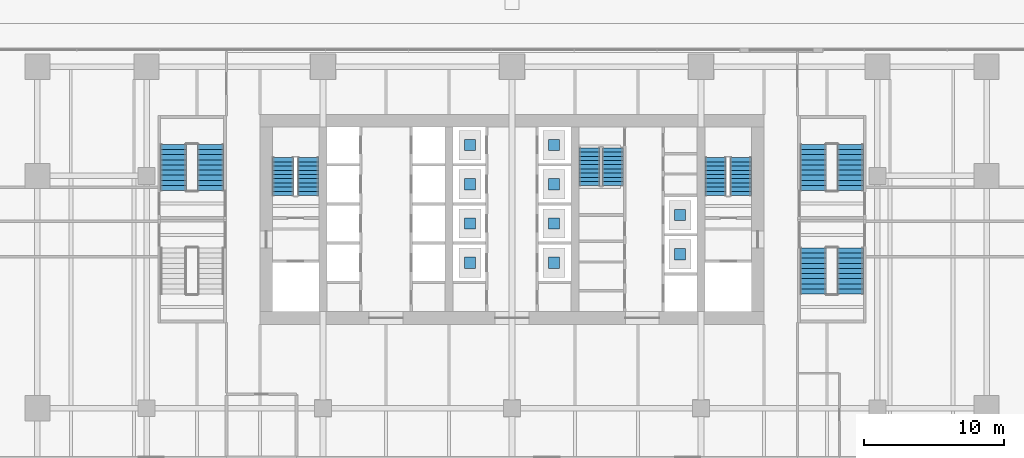
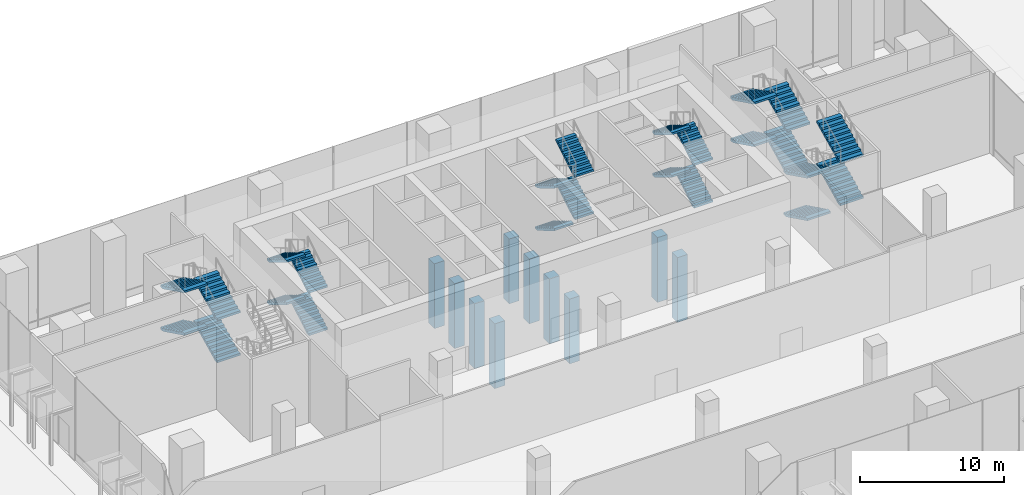
# One storey, part 33 of 41: 24 stair flights, 10 discrete accessories, 6 elements without a shape of their own.
"""IFC4 building model written with IfcOpenShell, lengths in metres."""

import ifcopenshell
import ifcopenshell.guid

model = None  # the IFC model being written
_history = None  # IfcOwnerHistory: only IFC2X3 demands one
_inside = {}  # id of a spatial element -> (the spatial element, [elements in it])
_under = {}  # id of a project, library or spatial element -> (it, [spatial elements below it])
_declared = {}  # id of a project -> (the project, [libraries it declares])
_typed = {}  # id of a type object -> (the type object, [elements of that type])
_made_of = {}  # id of a material, layer set ... -> (it, [elements and type objects made of it])


def new_model(schema):
    """Start an empty IFC model of exactly this schema.

    Asked for "IFC4X3", IfcOpenShell would pick the latest addendum, in which some entities
    have other attributes; the version numbers below select the first issue.
    IFC2X3 requires an IfcOwnerHistory on every rooted entity: one is made here for all.
    """
    global model, _history
    if schema == "IFC4X3":
        model = ifcopenshell.file(schema_version=(4, 3, 0, 0))
    else:
        model = ifcopenshell.file(schema=schema)
    _inside.clear()
    _under.clear()
    _declared.clear()
    _typed.clear()
    _made_of.clear()
    _history = None
    if model.schema == "IFC2X3":
        org = make("IfcOrganization", Name="unknown")
        user = make(
            "IfcPersonAndOrganization",
            ThePerson=make("IfcPerson", FamilyName="unknown"),
            TheOrganization=org,
        )
        app = make(
            "IfcApplication",
            ApplicationDeveloper=org,
            Version="unknown",
            ApplicationFullName="unknown",
            ApplicationIdentifier="unknown",
        )
        _history = make(
            "IfcOwnerHistory",
            OwningUser=user,
            OwningApplication=app,
            ChangeAction="ADDED",
            CreationDate=0,
        )
    return model


def make(cls, **values):
    """One entity of the class cls with the attributes given. An attribute that is None is left unset."""
    return model.create_entity(
        cls, **{name: value for name, value in values.items() if value is not None}
    )


def rooted(cls, **values):
    """An entity with a GlobalId (a new one), such as an element, a storey or a relation."""
    return make(cls, GlobalId=ifcopenshell.guid.new(), OwnerHistory=_history, **values)


def si_unit(unit_type, name, prefix=None):
    """IfcSIUnit, for example si_unit("LENGTHUNIT", "METRE", prefix="MILLI")."""
    return make("IfcSIUnit", UnitType=unit_type, Prefix=prefix, Name=name)


def assignment(units):
    """IfcUnitAssignment: the units of a project."""
    return None if units is None else make("IfcUnitAssignment", Units=units)


def point(xyz):
    """IfcCartesianPoint."""
    return None if xyz is None else make("IfcCartesianPoint", Coordinates=xyz)


def direction(xyz):
    """IfcDirection."""
    return None if xyz is None else make("IfcDirection", DirectionRatios=xyz)


def frame(location, z_axis=None, x_axis=None):
    """IfcAxis2Placement3D, a coordinate frame: its origin and axes. An axis left out is left unset."""
    return make(
        "IfcAxis2Placement3D",
        Location=point(location),
        Axis=direction(z_axis),
        RefDirection=direction(x_axis),
    )


def frame_2d(location, x_axis=None):
    """IfcAxis2Placement2D, a coordinate frame in the plane: its origin and x axis."""
    return make(
        "IfcAxis2Placement2D", Location=point(location), RefDirection=direction(x_axis)
    )


def origin():
    """The frame at (0, 0, 0) with its axes left unset."""
    return frame((0.0, 0.0, 0.0))


def origin_2d():
    """The frame at (0, 0) in the plane with its x axis left unset."""
    return frame_2d((0.0, 0.0))


def place(relative_to, where):
    """IfcLocalPlacement: puts the frame where relative to a parent placement (None: the world)."""
    return make(
        "IfcLocalPlacement", PlacementRelTo=relative_to, RelativePlacement=where
    )


def context(
    kind, dimensions, precision=None, world=None, true_north=None, identifier=None
):
    """IfcGeometricRepresentationContext, for example the 3D "Model" context."""
    return make(
        "IfcGeometricRepresentationContext",
        ContextIdentifier=identifier,
        ContextType=kind,
        CoordinateSpaceDimension=dimensions,
        Precision=precision,
        WorldCoordinateSystem=world,
        TrueNorth=true_north,
    )


def subcontext(parent, identifier, kind, view, scale=None):
    """IfcGeometricRepresentationSubContext, for example "Body" below "Model"."""
    return make(
        "IfcGeometricRepresentationSubContext",
        ContextIdentifier=identifier,
        ContextType=kind,
        ParentContext=parent,
        TargetScale=scale,
        TargetView=view,
    )


def project(units=None, contexts=None):
    """IfcProject with its units and contexts."""
    return rooted(
        "IfcProject",
        Name="project",
        RepresentationContexts=contexts,
        UnitsInContext=assignment(units),
    )


def spatial(cls, under=None, at=None, **own):
    """A site, building, storey or space (cls), placed at a placement, below another one or the project."""
    s = rooted(cls, ObjectPlacement=at, **own)
    if under is not None:
        _under.setdefault(under.id(), (under, []))[1].append(s)
    return s


def polyline(points):
    """IfcPolyline through the points."""
    return make("IfcPolyline", Points=[point(p) for p in points])


def profile(cls, at=None, kind="AREA", **sizes):
    """A parametric profile (cls). Its sizes go by their IFC names, for example OverallWidth=200.0."""
    return make(cls, ProfileType=kind, Position=at, **sizes)


def rectangle(**sizes):
    """IfcRectangleProfileDef."""
    return profile("IfcRectangleProfileDef", **sizes)


def outline(outer, holes=None, kind="AREA"):
    """IfcArbitraryClosedProfileDef: a profile drawn as a closed curve; with holes, ...WithVoids."""
    if holes is None:
        return make("IfcArbitraryClosedProfileDef", ProfileType=kind, OuterCurve=outer)
    return make(
        "IfcArbitraryProfileDefWithVoids",
        ProfileType=kind,
        OuterCurve=outer,
        InnerCurves=holes,
    )


def extrude(swept, where, along, depth):
    """IfcExtrudedAreaSolid: the profile swept, set in the frame where, extruded along a direction by depth."""
    return make(
        "IfcExtrudedAreaSolid",
        SweptArea=swept,
        Position=where,
        ExtrudedDirection=direction(along),
        Depth=depth,
    )


def shape(context_of_items, identifier, shape_type, items):
    """IfcShapeRepresentation: the items that make up one representation, for example the "Body"."""
    return make(
        "IfcShapeRepresentation",
        ContextOfItems=context_of_items,
        RepresentationIdentifier=identifier,
        RepresentationType=shape_type,
        Items=items,
    )


def material(Name=None, Category=None):
    """IfcMaterial."""
    return make("IfcMaterial", Name=Name, Category=Category)


def made_of(thing, what):
    """Note that an element or type object is made of a material, layer set ...; save() writes the relation."""
    if what is not None:
        _made_of.setdefault(what.id(), (what, []))[1].append(thing)
    return thing


def type_object(cls, material=None, **own):
    """A type object (cls), such as IfcWallType, which elements share."""
    return made_of(rooted(cls, **own), material)


def element(
    cls,
    number,
    at=None,
    inside=None,
    cuts=None,
    type_object=None,
    material=None,
    context=None,
    identifier="Body",
    shape_type=None,
    held_by="IfcProductDefinitionShape",
    body=None,
    shapes=None,
    **own,
):
    """One element of the class cls, such as IfcWall. Its Tag is "e" and its number.

    at: its placement. inside: the storey or other place that contains it. cuts: it is an
    opening in that element (IfcRelVoidsElement). A single representation is given by context,
    identifier, shape_type and body (its items); several are given by shapes. held_by: the class
    of the entity that holds the representations. save() writes the other relations.
    """
    e = rooted(cls, Tag="e%d" % number, ObjectPlacement=at, **own)
    if body is not None:
        shapes = [shape(context, identifier, shape_type, body)]
    if shapes is not None:
        e.Representation = make(held_by, Representations=shapes)
    if inside is not None:
        _inside.setdefault(inside.id(), (inside, []))[1].append(e)
    if cuts is not None:
        rooted(
            "IfcRelVoidsElement", RelatingBuildingElement=cuts, RelatedOpeningElement=e
        )
    if type_object is not None:
        _typed.setdefault(type_object.id(), (type_object, []))[1].append(e)
    return made_of(e, material)


def aggregate(whole, parts):
    """IfcRelAggregates: a whole, such as a stair, and the parts it consists of."""
    return rooted("IfcRelAggregates", RelatingObject=whole, RelatedObjects=parts)


def save(model, path):
    """Write the relations noted so far, then the file.

    IfcRelAggregates (storeys below a building ...), IfcRelContainedInSpatialStructure (elements
    in a storey), IfcRelDefinesByType, IfcRelAssociatesMaterial and IfcRelDeclares: one each for
    every whole, place, type object, material and project.
    """
    for whole, parts in _under.values():
        aggregate(whole, parts)
    for where, things in _inside.values():
        rooted(
            "IfcRelContainedInSpatialStructure",
            RelatedElements=things,
            RelatingStructure=where,
        )
    for kind, things in _typed.values():
        rooted("IfcRelDefinesByType", RelatedObjects=things, RelatingType=kind)
    for what, things in _made_of.values():
        rooted("IfcRelAssociatesMaterial", RelatedObjects=things, RelatingMaterial=what)
    for by, libraries in _declared.values():
        rooted("IfcRelDeclares", RelatingContext=by, RelatedDefinitions=libraries)
    model.write(path)


model = new_model("IFC4")

# Units and contexts
model_context = context("Model", 3, precision=1e-05, world=origin(), true_north=direction((0.0, 1.0)))
body_context = subcontext(model_context, "Body", "Model", "MODEL_VIEW")
ifc_project = project(units=[si_unit("LENGTHUNIT", "METRE"), si_unit("AREAUNIT", "SQUARE_METRE"), si_unit("VOLUMEUNIT", "CUBIC_METRE"), si_unit("PLANEANGLEUNIT", "RADIAN"), si_unit("MASSUNIT", "GRAM", prefix="KILO")], contexts=[model_context])

# Site, building, storey
site_placement = place(None, origin())
site = spatial("IfcSite", under=ifc_project, at=site_placement, CompositionType="ELEMENT")
building_placement = place(site_placement, origin())
building = spatial("IfcBuilding", under=site, at=building_placement, Name="Rattan Terrace Tower", CompositionType="ELEMENT")
storey_placement = place(building_placement, origin())
storey = spatial("IfcBuildingStorey", under=building, at=storey_placement, Name="L00", CompositionType="ELEMENT", Elevation=0.0)

# Stair, stair flights
ifc_material_1 = material(Name="Concrete C40/50", Category="concrete")
stair_type_1 = type_object("IfcStairType", Name="Core exit stair 1500", PredefinedType="HALF_TURN_STAIR", material=ifc_material_1)
stair_1_placement = place(storey_placement, origin())
stair_1 = element("IfcStair", 1, at=stair_1_placement, inside=storey, type_object=stair_type_1, Name="L00 exit stair 1", PredefinedType="HALF_TURN_STAIR")
ifc_material_2 = material(Name="Concrete C40/50", Category="concrete")
stair_flight_type_1 = type_object("IfcStairFlightType", Name="Core exit stair flight 1500", PredefinedType="STRAIGHT", material=ifc_material_2)
stair_flight_1_placement = place(storey_placement, frame((-14.550048828125, 1.699951171875, 0.0), z_axis=(0.0, 0.0, 1.0), x_axis=(0.0, 1.0, 0.0)))
stair_flight_1 = element("IfcStairFlight", 2, at=stair_flight_1_placement, type_object=stair_flight_type_1, Name="S1 flight 1", NumberOfRisers=10, NumberOfTreads=9, PredefinedType="STRAIGHT", RiserHeight=0.18, TreadLength=0.3, context=body_context, shape_type="SweptSolid", body=[
    extrude(outline(polyline([(0.0, 0.0), (0.0, 0.179931640625), (0.300048828125, 0.179931640625), (0.300048828125, 0.360107421875), (0.60009765625, 0.360107421875), (0.60009765625, 0.5400390625), (0.89990234375, 0.5400390625), (0.89990234375, 0.719970703125), (1.199951171875, 0.719970703125), (1.199951171875, 0.89990234375), (1.5, 0.89990234375), (1.5, 1.080078125), (1.800048828125, 1.080078125), (1.800048828125, 1.260009765625), (2.10009765625, 1.260009765625), (2.10009765625, 1.43994140625), (2.39990234375, 1.43994140625), (2.39990234375, 1.6201171875), (2.699951171875, 1.6201171875), (2.699951171875, 1.800048828125), (2.699951171875, 1.445068359375), (0.291259765625, 0.0), (0.0, 0.0)])), frame((0.0, 0.75, 0.0), z_axis=(0.0, -1.0, 0.0), x_axis=(1.0, 0.0, 0.0)), (0.0, 0.0, 1.0), 1.5),
])
stair_flight_2_placement = place(storey_placement, frame((-16.35009765625, 4.39990234375, 1.800048828125), z_axis=(0.0, 0.0, 1.0), x_axis=(0.0, -1.0, 0.0)))
stair_flight_2 = element("IfcStairFlight", 3, at=stair_flight_2_placement, type_object=stair_flight_type_1, Name="S1 flight 2", NumberOfRisers=10, NumberOfTreads=9, PredefinedType="STRAIGHT", RiserHeight=0.18, TreadLength=0.3, context=body_context, shape_type="SweptSolid", body=[
    extrude(outline(polyline([(0.0, 0.0), (0.0, 0.179931640625), (0.300048828125, 0.179931640625), (0.300048828125, 0.360107421875), (0.60009765625, 0.360107421875), (0.60009765625, 0.5400390625), (0.89990234375, 0.5400390625), (0.89990234375, 0.719970703125), (1.199951171875, 0.719970703125), (1.199951171875, 0.89990234375), (1.5, 0.89990234375), (1.5, 1.080078125), (1.800048828125, 1.080078125), (1.800048828125, 1.260009765625), (2.10009765625, 1.260009765625), (2.10009765625, 1.43994140625), (2.39990234375, 1.43994140625), (2.39990234375, 1.6201171875), (2.699951171875, 1.6201171875), (2.699951171875, 1.800048828125), (2.699951171875, 1.445068359375), (0.291259765625, 0.0), (0.0, 0.0)])), frame((0.0, 0.75, 0.0), z_axis=(0.0, -1.0, 0.0), x_axis=(1.0, 0.0, 0.0)), (0.0, 0.0, 1.0), 1.5),
])
stair_flight_3_placement = place(storey_placement, frame((-14.550048828125, 1.699951171875, 3.60009765625), z_axis=(0.0, 0.0, 1.0), x_axis=(0.0, 1.0, 0.0)))
stair_flight_3 = element("IfcStairFlight", 4, at=stair_flight_3_placement, type_object=stair_flight_type_1, Name="S1 flight 3", NumberOfRisers=10, NumberOfTreads=9, PredefinedType="STRAIGHT", RiserHeight=0.18, TreadLength=0.3, context=body_context, shape_type="SweptSolid", body=[
    extrude(outline(polyline([(0.0, 0.0), (0.0, 0.179931640625), (0.300048828125, 0.179931640625), (0.300048828125, 0.360107421875), (0.60009765625, 0.360107421875), (0.60009765625, 0.5400390625), (0.89990234375, 0.5400390625), (0.89990234375, 0.719970703125), (1.199951171875, 0.719970703125), (1.199951171875, 0.89990234375), (1.5, 0.89990234375), (1.5, 1.080078125), (1.800048828125, 1.080078125), (1.800048828125, 1.260009765625), (2.10009765625, 1.260009765625), (2.10009765625, 1.43994140625), (2.39990234375, 1.43994140625), (2.39990234375, 1.6201171875), (2.699951171875, 1.6201171875), (2.699951171875, 1.800048828125), (2.699951171875, 1.445068359375), (0.291259765625, 0.0), (0.0, 0.0)])), frame((0.0, 0.75, 0.0), z_axis=(0.0, -1.0, 0.0), x_axis=(1.0, 0.0, 0.0)), (0.0, 0.0, 1.0), 1.5),
])
stair_flight_4_placement = place(storey_placement, frame((-16.35009765625, 4.39990234375, 5.39990234375), z_axis=(0.0, 0.0, 1.0), x_axis=(0.0, -1.0, 0.0)))
stair_flight_4 = element("IfcStairFlight", 5, at=stair_flight_4_placement, type_object=stair_flight_type_1, Name="S1 flight 4", NumberOfRisers=10, NumberOfTreads=9, PredefinedType="STRAIGHT", RiserHeight=0.18, TreadLength=0.3, context=body_context, shape_type="SweptSolid", body=[
    extrude(outline(polyline([(0.0, 0.0), (0.0, 0.179931640625), (0.300048828125, 0.179931640625), (0.300048828125, 0.360107421875), (0.60009765625, 0.360107421875), (0.60009765625, 0.5400390625), (0.89990234375, 0.5400390625), (0.89990234375, 0.719970703125), (1.199951171875, 0.719970703125), (1.199951171875, 0.89990234375), (1.5, 0.89990234375), (1.5, 1.080078125), (1.800048828125, 1.080078125), (1.800048828125, 1.260009765625), (2.10009765625, 1.260009765625), (2.10009765625, 1.43994140625), (2.39990234375, 1.43994140625), (2.39990234375, 1.6201171875), (2.699951171875, 1.6201171875), (2.699951171875, 1.800048828125), (2.699951171875, 1.445068359375), (0.291259765625, 0.0), (0.0, 0.0)])), frame((0.0, 0.75, 0.0), z_axis=(0.0, -1.0, 0.0), x_axis=(1.0, 0.0, 0.0)), (0.0, 0.0, 1.0), 1.5),
])
aggregate(stair_1, [stair_flight_1, stair_flight_2, stair_flight_3, stair_flight_4])

stair_2_placement = place(storey_placement, origin())
stair_2 = element("IfcStair", 6, at=stair_2_placement, inside=storey, type_object=stair_type_1, Name="L00 exit stair 2", PredefinedType="HALF_TURN_STAIR")
stair_flight_5_placement = place(storey_placement, frame((16.35009765625, 1.699951171875, 0.0), z_axis=(0.0, 0.0, 1.0), x_axis=(0.0, 1.0, 0.0)))
stair_flight_5 = element("IfcStairFlight", 7, at=stair_flight_5_placement, type_object=stair_flight_type_1, Name="S2 flight 1", NumberOfRisers=10, NumberOfTreads=9, PredefinedType="STRAIGHT", RiserHeight=0.18, TreadLength=0.3, context=body_context, shape_type="SweptSolid", body=[
    extrude(outline(polyline([(0.0, 0.0), (0.0, 0.179931640625), (0.300048828125, 0.179931640625), (0.300048828125, 0.360107421875), (0.60009765625, 0.360107421875), (0.60009765625, 0.5400390625), (0.89990234375, 0.5400390625), (0.89990234375, 0.719970703125), (1.199951171875, 0.719970703125), (1.199951171875, 0.89990234375), (1.5, 0.89990234375), (1.5, 1.080078125), (1.800048828125, 1.080078125), (1.800048828125, 1.260009765625), (2.10009765625, 1.260009765625), (2.10009765625, 1.43994140625), (2.39990234375, 1.43994140625), (2.39990234375, 1.6201171875), (2.699951171875, 1.6201171875), (2.699951171875, 1.800048828125), (2.699951171875, 1.445068359375), (0.291259765625, 0.0), (0.0, 0.0)])), frame((0.0, 0.75, 0.0), z_axis=(0.0, -1.0, 0.0), x_axis=(1.0, 0.0, 0.0)), (0.0, 0.0, 1.0), 1.5),
])
stair_flight_6_placement = place(storey_placement, frame((14.550048828125, 4.39990234375, 1.800048828125), z_axis=(0.0, 0.0, 1.0), x_axis=(0.0, -1.0, 0.0)))
stair_flight_6 = element("IfcStairFlight", 8, at=stair_flight_6_placement, type_object=stair_flight_type_1, Name="S2 flight 2", NumberOfRisers=10, NumberOfTreads=9, PredefinedType="STRAIGHT", RiserHeight=0.18, TreadLength=0.3, context=body_context, shape_type="SweptSolid", body=[
    extrude(outline(polyline([(0.0, 0.0), (0.0, 0.179931640625), (0.300048828125, 0.179931640625), (0.300048828125, 0.360107421875), (0.60009765625, 0.360107421875), (0.60009765625, 0.5400390625), (0.89990234375, 0.5400390625), (0.89990234375, 0.719970703125), (1.199951171875, 0.719970703125), (1.199951171875, 0.89990234375), (1.5, 0.89990234375), (1.5, 1.080078125), (1.800048828125, 1.080078125), (1.800048828125, 1.260009765625), (2.10009765625, 1.260009765625), (2.10009765625, 1.43994140625), (2.39990234375, 1.43994140625), (2.39990234375, 1.6201171875), (2.699951171875, 1.6201171875), (2.699951171875, 1.800048828125), (2.699951171875, 1.445068359375), (0.291259765625, 0.0), (0.0, 0.0)])), frame((0.0, 0.75, 0.0), z_axis=(0.0, -1.0, 0.0), x_axis=(1.0, 0.0, 0.0)), (0.0, 0.0, 1.0), 1.5),
])
stair_flight_7_placement = place(storey_placement, frame((16.35009765625, 1.699951171875, 3.60009765625), z_axis=(0.0, 0.0, 1.0), x_axis=(0.0, 1.0, 0.0)))
stair_flight_7 = element("IfcStairFlight", 9, at=stair_flight_7_placement, type_object=stair_flight_type_1, Name="S2 flight 3", NumberOfRisers=10, NumberOfTreads=9, PredefinedType="STRAIGHT", RiserHeight=0.18, TreadLength=0.3, context=body_context, shape_type="SweptSolid", body=[
    extrude(outline(polyline([(0.0, 0.0), (0.0, 0.179931640625), (0.300048828125, 0.179931640625), (0.300048828125, 0.360107421875), (0.60009765625, 0.360107421875), (0.60009765625, 0.5400390625), (0.89990234375, 0.5400390625), (0.89990234375, 0.719970703125), (1.199951171875, 0.719970703125), (1.199951171875, 0.89990234375), (1.5, 0.89990234375), (1.5, 1.080078125), (1.800048828125, 1.080078125), (1.800048828125, 1.260009765625), (2.10009765625, 1.260009765625), (2.10009765625, 1.43994140625), (2.39990234375, 1.43994140625), (2.39990234375, 1.6201171875), (2.699951171875, 1.6201171875), (2.699951171875, 1.800048828125), (2.699951171875, 1.445068359375), (0.291259765625, 0.0), (0.0, 0.0)])), frame((0.0, 0.75, 0.0), z_axis=(0.0, -1.0, 0.0), x_axis=(1.0, 0.0, 0.0)), (0.0, 0.0, 1.0), 1.5),
])
stair_flight_8_placement = place(storey_placement, frame((14.550048828125, 4.39990234375, 5.39990234375), z_axis=(0.0, 0.0, 1.0), x_axis=(0.0, -1.0, 0.0)))
stair_flight_8 = element("IfcStairFlight", 10, at=stair_flight_8_placement, type_object=stair_flight_type_1, Name="S2 flight 4", NumberOfRisers=10, NumberOfTreads=9, PredefinedType="STRAIGHT", RiserHeight=0.18, TreadLength=0.3, context=body_context, shape_type="SweptSolid", body=[
    extrude(outline(polyline([(0.0, 0.0), (0.0, 0.179931640625), (0.300048828125, 0.179931640625), (0.300048828125, 0.360107421875), (0.60009765625, 0.360107421875), (0.60009765625, 0.5400390625), (0.89990234375, 0.5400390625), (0.89990234375, 0.719970703125), (1.199951171875, 0.719970703125), (1.199951171875, 0.89990234375), (1.5, 0.89990234375), (1.5, 1.080078125), (1.800048828125, 1.080078125), (1.800048828125, 1.260009765625), (2.10009765625, 1.260009765625), (2.10009765625, 1.43994140625), (2.39990234375, 1.43994140625), (2.39990234375, 1.6201171875), (2.699951171875, 1.6201171875), (2.699951171875, 1.800048828125), (2.699951171875, 1.445068359375), (0.291259765625, 0.0), (0.0, 0.0)])), frame((0.0, 0.75, 0.0), z_axis=(0.0, -1.0, 0.0), x_axis=(1.0, 0.0, 0.0)), (0.0, 0.0, 1.0), 1.5),
])
aggregate(stair_2, [stair_flight_5, stair_flight_6, stair_flight_7, stair_flight_8])

stair_3_placement = place(storey_placement, origin())
stair_3 = element("IfcStair", 11, at=stair_3_placement, inside=storey, type_object=stair_type_1, Name="L00 exit stair 3", PredefinedType="HALF_TURN_STAIR")
stair_flight_9_placement = place(storey_placement, frame((5.550048828125, 5.10009765625, 0.0), z_axis=(0.0, 0.0, 1.0), x_axis=(0.0, -1.0, 0.0)))
stair_flight_9 = element("IfcStairFlight", 12, at=stair_flight_9_placement, type_object=stair_flight_type_1, Name="S3 flight 1", NumberOfRisers=10, NumberOfTreads=9, PredefinedType="STRAIGHT", RiserHeight=0.18, TreadLength=0.3, context=body_context, shape_type="SweptSolid", body=[
    extrude(outline(polyline([(0.0, 0.0), (0.0, 0.179931640625), (0.300048828125, 0.179931640625), (0.300048828125, 0.360107421875), (0.60009765625, 0.360107421875), (0.60009765625, 0.5400390625), (0.89990234375, 0.5400390625), (0.89990234375, 0.719970703125), (1.199951171875, 0.719970703125), (1.199951171875, 0.89990234375), (1.5, 0.89990234375), (1.5, 1.080078125), (1.800048828125, 1.080078125), (1.800048828125, 1.260009765625), (2.10009765625, 1.260009765625), (2.10009765625, 1.43994140625), (2.39990234375, 1.43994140625), (2.39990234375, 1.6201171875), (2.699951171875, 1.6201171875), (2.699951171875, 1.800048828125), (2.699951171875, 1.445068359375), (0.291259765625, 0.0), (0.0, 0.0)])), frame((0.0, 0.75, 0.0), z_axis=(0.0, -1.0, 0.0), x_axis=(1.0, 0.0, 0.0)), (0.0, 0.0, 1.0), 1.5),
])
stair_flight_10_placement = place(storey_placement, frame((7.199951171875, 2.39990234375, 1.800048828125), z_axis=(0.0, 0.0, 1.0), x_axis=(0.0, 1.0, 0.0)))
stair_flight_10 = element("IfcStairFlight", 13, at=stair_flight_10_placement, type_object=stair_flight_type_1, Name="S3 flight 2", NumberOfRisers=10, NumberOfTreads=9, PredefinedType="STRAIGHT", RiserHeight=0.18, TreadLength=0.3, context=body_context, shape_type="SweptSolid", body=[
    extrude(outline(polyline([(0.0, 0.0), (0.0, 0.179931640625), (0.300048828125, 0.179931640625), (0.300048828125, 0.360107421875), (0.60009765625, 0.360107421875), (0.60009765625, 0.5400390625), (0.89990234375, 0.5400390625), (0.89990234375, 0.719970703125), (1.199951171875, 0.719970703125), (1.199951171875, 0.89990234375), (1.5, 0.89990234375), (1.5, 1.080078125), (1.800048828125, 1.080078125), (1.800048828125, 1.260009765625), (2.10009765625, 1.260009765625), (2.10009765625, 1.43994140625), (2.39990234375, 1.43994140625), (2.39990234375, 1.6201171875), (2.699951171875, 1.6201171875), (2.699951171875, 1.800048828125), (2.699951171875, 1.445068359375), (0.291259765625, 0.0), (0.0, 0.0)])), frame((0.0, 0.75, 0.0), z_axis=(0.0, -1.0, 0.0), x_axis=(1.0, 0.0, 0.0)), (0.0, 0.0, 1.0), 1.5),
])
stair_flight_11_placement = place(storey_placement, frame((5.550048828125, 5.10009765625, 3.60009765625), z_axis=(0.0, 0.0, 1.0), x_axis=(0.0, -1.0, 0.0)))
stair_flight_11 = element("IfcStairFlight", 14, at=stair_flight_11_placement, type_object=stair_flight_type_1, Name="S3 flight 3", NumberOfRisers=10, NumberOfTreads=9, PredefinedType="STRAIGHT", RiserHeight=0.18, TreadLength=0.3, context=body_context, shape_type="SweptSolid", body=[
    extrude(outline(polyline([(0.0, 0.0), (0.0, 0.179931640625), (0.300048828125, 0.179931640625), (0.300048828125, 0.360107421875), (0.60009765625, 0.360107421875), (0.60009765625, 0.5400390625), (0.89990234375, 0.5400390625), (0.89990234375, 0.719970703125), (1.199951171875, 0.719970703125), (1.199951171875, 0.89990234375), (1.5, 0.89990234375), (1.5, 1.080078125), (1.800048828125, 1.080078125), (1.800048828125, 1.260009765625), (2.10009765625, 1.260009765625), (2.10009765625, 1.43994140625), (2.39990234375, 1.43994140625), (2.39990234375, 1.6201171875), (2.699951171875, 1.6201171875), (2.699951171875, 1.800048828125), (2.699951171875, 1.445068359375), (0.291259765625, 0.0), (0.0, 0.0)])), frame((0.0, 0.75, 0.0), z_axis=(0.0, -1.0, 0.0), x_axis=(1.0, 0.0, 0.0)), (0.0, 0.0, 1.0), 1.5),
])
stair_flight_12_placement = place(storey_placement, frame((7.199951171875, 2.39990234375, 5.39990234375), z_axis=(0.0, 0.0, 1.0), x_axis=(0.0, 1.0, 0.0)))
stair_flight_12 = element("IfcStairFlight", 15, at=stair_flight_12_placement, type_object=stair_flight_type_1, Name="S3 flight 4", NumberOfRisers=10, NumberOfTreads=9, PredefinedType="STRAIGHT", RiserHeight=0.18, TreadLength=0.3, context=body_context, shape_type="SweptSolid", body=[
    extrude(outline(polyline([(0.0, 0.0), (0.0, 0.179931640625), (0.300048828125, 0.179931640625), (0.300048828125, 0.360107421875), (0.60009765625, 0.360107421875), (0.60009765625, 0.5400390625), (0.89990234375, 0.5400390625), (0.89990234375, 0.719970703125), (1.199951171875, 0.719970703125), (1.199951171875, 0.89990234375), (1.5, 0.89990234375), (1.5, 1.080078125), (1.800048828125, 1.080078125), (1.800048828125, 1.260009765625), (2.10009765625, 1.260009765625), (2.10009765625, 1.43994140625), (2.39990234375, 1.43994140625), (2.39990234375, 1.6201171875), (2.699951171875, 1.6201171875), (2.699951171875, 1.800048828125), (2.699951171875, 1.445068359375), (0.291259765625, 0.0), (0.0, 0.0)])), frame((0.0, 0.75, 0.0), z_axis=(0.0, -1.0, 0.0), x_axis=(1.0, 0.0, 0.0)), (0.0, 0.0, 1.0), 1.5),
])
aggregate(stair_3, [stair_flight_9, stair_flight_10, stair_flight_11, stair_flight_12])

ifc_material_3 = material(Name="Concrete C40/50", Category="concrete")
stair_type_2 = type_object("IfcStairType", Name="Core exit stair 1850", PredefinedType="HALF_TURN_STAIR", material=ifc_material_3)
stair_4_placement = place(storey_placement, origin())
stair_4 = element("IfcStair", 16, at=stair_4_placement, inside=storey, type_object=stair_type_2, Name="L00 exit stair 5", PredefinedType="HALF_TURN_STAIR")
ifc_material_4 = material(Name="Concrete C40/50", Category="concrete")
stair_flight_type_2 = type_object("IfcStairFlightType", Name="Core exit stair flight 1850", PredefinedType="STRAIGHT", material=ifc_material_4)
stair_flight_13_placement = place(storey_placement, frame((-21.52490234375, 2.050048828125, 0.0), z_axis=(0.0, 0.0, 1.0), x_axis=(0.0, 1.0, 0.0)))
stair_flight_13 = element("IfcStairFlight", 17, at=stair_flight_13_placement, type_object=stair_flight_type_2, Name="S5 flight 1", NumberOfRisers=10, NumberOfTreads=9, PredefinedType="STRAIGHT", RiserHeight=0.18, TreadLength=0.366, context=body_context, shape_type="SweptSolid", body=[
    extrude(outline(polyline([(0.0, 0.0), (0.0, 0.179931640625), (0.365966796875, 0.179931640625), (0.365966796875, 0.360107421875), (0.73193359375, 0.360107421875), (0.73193359375, 0.5400390625), (1.097900390625, 0.5400390625), (1.097900390625, 0.719970703125), (1.464111328125, 0.719970703125), (1.464111328125, 0.89990234375), (1.830078125, 0.89990234375), (1.830078125, 1.080078125), (2.196044921875, 1.080078125), (2.196044921875, 1.260009765625), (2.56201171875, 1.260009765625), (2.56201171875, 1.43994140625), (2.927978515625, 1.43994140625), (2.927978515625, 1.6201171875), (3.2939453125, 1.6201171875), (3.2939453125, 1.800048828125), (3.2939453125, 1.452880859375), (0.339599609375, 0.0), (0.0, 0.0)])), frame((0.0, 0.925048828125, 0.0), z_axis=(0.0, -1.0, 0.0), x_axis=(1.0, 0.0, 0.0)), (0.0, 0.0, 1.0), 1.85009765625),
])
stair_flight_14_placement = place(storey_placement, frame((-24.175048828125, 5.343994140625, 1.800048828125), z_axis=(0.0, 0.0, 1.0), x_axis=(0.0, -1.0, 0.0)))
stair_flight_14 = element("IfcStairFlight", 18, at=stair_flight_14_placement, type_object=stair_flight_type_2, Name="S5 flight 2", NumberOfRisers=10, NumberOfTreads=9, PredefinedType="STRAIGHT", RiserHeight=0.18, TreadLength=0.366, context=body_context, shape_type="SweptSolid", body=[
    extrude(outline(polyline([(0.0, 0.0), (0.0, 0.179931640625), (0.365966796875, 0.179931640625), (0.365966796875, 0.360107421875), (0.73193359375, 0.360107421875), (0.73193359375, 0.5400390625), (1.097900390625, 0.5400390625), (1.097900390625, 0.719970703125), (1.464111328125, 0.719970703125), (1.464111328125, 0.89990234375), (1.830078125, 0.89990234375), (1.830078125, 1.080078125), (2.196044921875, 1.080078125), (2.196044921875, 1.260009765625), (2.56201171875, 1.260009765625), (2.56201171875, 1.43994140625), (2.927978515625, 1.43994140625), (2.927978515625, 1.6201171875), (3.2939453125, 1.6201171875), (3.2939453125, 1.800048828125), (3.2939453125, 1.452880859375), (0.339599609375, 0.0), (0.0, 0.0)])), frame((0.0, 0.925048828125, 0.0), z_axis=(0.0, -1.0, 0.0), x_axis=(1.0, 0.0, 0.0)), (0.0, 0.0, 1.0), 1.85009765625),
])
stair_flight_15_placement = place(storey_placement, frame((-21.52490234375, 2.050048828125, 3.60009765625), z_axis=(0.0, 0.0, 1.0), x_axis=(0.0, 1.0, 0.0)))
stair_flight_15 = element("IfcStairFlight", 19, at=stair_flight_15_placement, type_object=stair_flight_type_2, Name="S5 flight 3", NumberOfRisers=10, NumberOfTreads=9, PredefinedType="STRAIGHT", RiserHeight=0.18, TreadLength=0.366, context=body_context, shape_type="SweptSolid", body=[
    extrude(outline(polyline([(0.0, 0.0), (0.0, 0.179931640625), (0.365966796875, 0.179931640625), (0.365966796875, 0.360107421875), (0.73193359375, 0.360107421875), (0.73193359375, 0.5400390625), (1.097900390625, 0.5400390625), (1.097900390625, 0.719970703125), (1.464111328125, 0.719970703125), (1.464111328125, 0.89990234375), (1.830078125, 0.89990234375), (1.830078125, 1.080078125), (2.196044921875, 1.080078125), (2.196044921875, 1.260009765625), (2.56201171875, 1.260009765625), (2.56201171875, 1.43994140625), (2.927978515625, 1.43994140625), (2.927978515625, 1.6201171875), (3.2939453125, 1.6201171875), (3.2939453125, 1.800048828125), (3.2939453125, 1.452880859375), (0.339599609375, 0.0), (0.0, 0.0)])), frame((0.0, 0.925048828125, 0.0), z_axis=(0.0, -1.0, 0.0), x_axis=(1.0, 0.0, 0.0)), (0.0, 0.0, 1.0), 1.85009765625),
])
stair_flight_16_placement = place(storey_placement, frame((-24.175048828125, 5.343994140625, 5.39990234375), z_axis=(0.0, 0.0, 1.0), x_axis=(0.0, -1.0, 0.0)))
stair_flight_16 = element("IfcStairFlight", 20, at=stair_flight_16_placement, type_object=stair_flight_type_2, Name="S5 flight 4", NumberOfRisers=10, NumberOfTreads=9, PredefinedType="STRAIGHT", RiserHeight=0.18, TreadLength=0.366, context=body_context, shape_type="SweptSolid", body=[
    extrude(outline(polyline([(0.0, 0.0), (0.0, 0.179931640625), (0.365966796875, 0.179931640625), (0.365966796875, 0.360107421875), (0.73193359375, 0.360107421875), (0.73193359375, 0.5400390625), (1.097900390625, 0.5400390625), (1.097900390625, 0.719970703125), (1.464111328125, 0.719970703125), (1.464111328125, 0.89990234375), (1.830078125, 0.89990234375), (1.830078125, 1.080078125), (2.196044921875, 1.080078125), (2.196044921875, 1.260009765625), (2.56201171875, 1.260009765625), (2.56201171875, 1.43994140625), (2.927978515625, 1.43994140625), (2.927978515625, 1.6201171875), (3.2939453125, 1.6201171875), (3.2939453125, 1.800048828125), (3.2939453125, 1.452880859375), (0.339599609375, 0.0), (0.0, 0.0)])), frame((0.0, 0.925048828125, 0.0), z_axis=(0.0, -1.0, 0.0), x_axis=(1.0, 0.0, 0.0)), (0.0, 0.0, 1.0), 1.85009765625),
])
aggregate(stair_4, [stair_flight_13, stair_flight_14, stair_flight_15, stair_flight_16])

stair_5_placement = place(storey_placement, origin())
stair_5 = element("IfcStair", 21, at=stair_5_placement, inside=storey, type_object=stair_type_2, Name="L00 exit stair 6", PredefinedType="HALF_TURN_STAIR")
stair_flight_17_placement = place(storey_placement, frame((21.52490234375, -2.050048828125, 0.0), z_axis=(0.0, 0.0, 1.0), x_axis=(0.0, -1.0, 0.0)))
stair_flight_17 = element("IfcStairFlight", 22, at=stair_flight_17_placement, type_object=stair_flight_type_2, Name="S6 flight 1", NumberOfRisers=10, NumberOfTreads=9, PredefinedType="STRAIGHT", RiserHeight=0.18, TreadLength=0.366, context=body_context, shape_type="SweptSolid", body=[
    extrude(outline(polyline([(0.0, 0.0), (0.0, 0.179931640625), (0.365966796875, 0.179931640625), (0.365966796875, 0.360107421875), (0.73193359375, 0.360107421875), (0.73193359375, 0.5400390625), (1.097900390625, 0.5400390625), (1.097900390625, 0.719970703125), (1.464111328125, 0.719970703125), (1.464111328125, 0.89990234375), (1.830078125, 0.89990234375), (1.830078125, 1.080078125), (2.196044921875, 1.080078125), (2.196044921875, 1.260009765625), (2.56201171875, 1.260009765625), (2.56201171875, 1.43994140625), (2.927978515625, 1.43994140625), (2.927978515625, 1.6201171875), (3.2939453125, 1.6201171875), (3.2939453125, 1.800048828125), (3.2939453125, 1.452880859375), (0.339599609375, 0.0), (0.0, 0.0)])), frame((0.0, 0.925048828125, 0.0), z_axis=(0.0, -1.0, 0.0), x_axis=(1.0, 0.0, 0.0)), (0.0, 0.0, 1.0), 1.85009765625),
])
stair_flight_18_placement = place(storey_placement, frame((24.175048828125, -5.343994140625, 1.800048828125), z_axis=(0.0, 0.0, 1.0), x_axis=(0.0, 1.0, 0.0)))
stair_flight_18 = element("IfcStairFlight", 23, at=stair_flight_18_placement, type_object=stair_flight_type_2, Name="S6 flight 2", NumberOfRisers=10, NumberOfTreads=9, PredefinedType="STRAIGHT", RiserHeight=0.18, TreadLength=0.366, context=body_context, shape_type="SweptSolid", body=[
    extrude(outline(polyline([(0.0, 0.0), (0.0, 0.179931640625), (0.365966796875, 0.179931640625), (0.365966796875, 0.360107421875), (0.73193359375, 0.360107421875), (0.73193359375, 0.5400390625), (1.097900390625, 0.5400390625), (1.097900390625, 0.719970703125), (1.464111328125, 0.719970703125), (1.464111328125, 0.89990234375), (1.830078125, 0.89990234375), (1.830078125, 1.080078125), (2.196044921875, 1.080078125), (2.196044921875, 1.260009765625), (2.56201171875, 1.260009765625), (2.56201171875, 1.43994140625), (2.927978515625, 1.43994140625), (2.927978515625, 1.6201171875), (3.2939453125, 1.6201171875), (3.2939453125, 1.800048828125), (3.2939453125, 1.452880859375), (0.339599609375, 0.0), (0.0, 0.0)])), frame((0.0, 0.925048828125, 0.0), z_axis=(0.0, -1.0, 0.0), x_axis=(1.0, 0.0, 0.0)), (0.0, 0.0, 1.0), 1.85009765625),
])
stair_flight_19_placement = place(storey_placement, frame((21.52490234375, -2.050048828125, 3.60009765625), z_axis=(0.0, 0.0, 1.0), x_axis=(0.0, -1.0, 0.0)))
stair_flight_19 = element("IfcStairFlight", 24, at=stair_flight_19_placement, type_object=stair_flight_type_2, Name="S6 flight 3", NumberOfRisers=10, NumberOfTreads=9, PredefinedType="STRAIGHT", RiserHeight=0.18, TreadLength=0.366, context=body_context, shape_type="SweptSolid", body=[
    extrude(outline(polyline([(0.0, 0.0), (0.0, 0.179931640625), (0.365966796875, 0.179931640625), (0.365966796875, 0.360107421875), (0.73193359375, 0.360107421875), (0.73193359375, 0.5400390625), (1.097900390625, 0.5400390625), (1.097900390625, 0.719970703125), (1.464111328125, 0.719970703125), (1.464111328125, 0.89990234375), (1.830078125, 0.89990234375), (1.830078125, 1.080078125), (2.196044921875, 1.080078125), (2.196044921875, 1.260009765625), (2.56201171875, 1.260009765625), (2.56201171875, 1.43994140625), (2.927978515625, 1.43994140625), (2.927978515625, 1.6201171875), (3.2939453125, 1.6201171875), (3.2939453125, 1.800048828125), (3.2939453125, 1.452880859375), (0.339599609375, 0.0), (0.0, 0.0)])), frame((0.0, 0.925048828125, 0.0), z_axis=(0.0, -1.0, 0.0), x_axis=(1.0, 0.0, 0.0)), (0.0, 0.0, 1.0), 1.85009765625),
])
stair_flight_20_placement = place(storey_placement, frame((24.175048828125, -5.343994140625, 5.39990234375), z_axis=(0.0, 0.0, 1.0), x_axis=(0.0, 1.0, 0.0)))
stair_flight_20 = element("IfcStairFlight", 25, at=stair_flight_20_placement, type_object=stair_flight_type_2, Name="S6 flight 4", NumberOfRisers=10, NumberOfTreads=9, PredefinedType="STRAIGHT", RiserHeight=0.18, TreadLength=0.366, context=body_context, shape_type="SweptSolid", body=[
    extrude(outline(polyline([(0.0, 0.0), (0.0, 0.179931640625), (0.365966796875, 0.179931640625), (0.365966796875, 0.360107421875), (0.73193359375, 0.360107421875), (0.73193359375, 0.5400390625), (1.097900390625, 0.5400390625), (1.097900390625, 0.719970703125), (1.464111328125, 0.719970703125), (1.464111328125, 0.89990234375), (1.830078125, 0.89990234375), (1.830078125, 1.080078125), (2.196044921875, 1.080078125), (2.196044921875, 1.260009765625), (2.56201171875, 1.260009765625), (2.56201171875, 1.43994140625), (2.927978515625, 1.43994140625), (2.927978515625, 1.6201171875), (3.2939453125, 1.6201171875), (3.2939453125, 1.800048828125), (3.2939453125, 1.452880859375), (0.339599609375, 0.0), (0.0, 0.0)])), frame((0.0, 0.925048828125, 0.0), z_axis=(0.0, -1.0, 0.0), x_axis=(1.0, 0.0, 0.0)), (0.0, 0.0, 1.0), 1.85009765625),
])
aggregate(stair_5, [stair_flight_17, stair_flight_18, stair_flight_19, stair_flight_20])

stair_6_placement = place(storey_placement, origin())
stair_6 = element("IfcStair", 26, at=stair_6_placement, inside=storey, type_object=stair_type_2, Name="L00 exit stair 7", PredefinedType="HALF_TURN_STAIR")
stair_flight_21_placement = place(storey_placement, frame((24.175048828125, 2.050048828125, 0.0), z_axis=(0.0, 0.0, 1.0), x_axis=(0.0, 1.0, 0.0)))
stair_flight_21 = element("IfcStairFlight", 27, at=stair_flight_21_placement, type_object=stair_flight_type_2, Name="S7 flight 1", NumberOfRisers=10, NumberOfTreads=9, PredefinedType="STRAIGHT", RiserHeight=0.18, TreadLength=0.366, context=body_context, shape_type="SweptSolid", body=[
    extrude(outline(polyline([(0.0, 0.0), (0.0, 0.179931640625), (0.365966796875, 0.179931640625), (0.365966796875, 0.360107421875), (0.73193359375, 0.360107421875), (0.73193359375, 0.5400390625), (1.097900390625, 0.5400390625), (1.097900390625, 0.719970703125), (1.464111328125, 0.719970703125), (1.464111328125, 0.89990234375), (1.830078125, 0.89990234375), (1.830078125, 1.080078125), (2.196044921875, 1.080078125), (2.196044921875, 1.260009765625), (2.56201171875, 1.260009765625), (2.56201171875, 1.43994140625), (2.927978515625, 1.43994140625), (2.927978515625, 1.6201171875), (3.2939453125, 1.6201171875), (3.2939453125, 1.800048828125), (3.2939453125, 1.452880859375), (0.339599609375, 0.0), (0.0, 0.0)])), frame((0.0, 0.925048828125, 0.0), z_axis=(0.0, -1.0, 0.0), x_axis=(1.0, 0.0, 0.0)), (0.0, 0.0, 1.0), 1.85009765625),
])
stair_flight_22_placement = place(storey_placement, frame((21.52490234375, 5.343994140625, 1.800048828125), z_axis=(0.0, 0.0, 1.0), x_axis=(0.0, -1.0, 0.0)))
stair_flight_22 = element("IfcStairFlight", 28, at=stair_flight_22_placement, type_object=stair_flight_type_2, Name="S7 flight 2", NumberOfRisers=10, NumberOfTreads=9, PredefinedType="STRAIGHT", RiserHeight=0.18, TreadLength=0.366, context=body_context, shape_type="SweptSolid", body=[
    extrude(outline(polyline([(0.0, 0.0), (0.0, 0.179931640625), (0.365966796875, 0.179931640625), (0.365966796875, 0.360107421875), (0.73193359375, 0.360107421875), (0.73193359375, 0.5400390625), (1.097900390625, 0.5400390625), (1.097900390625, 0.719970703125), (1.464111328125, 0.719970703125), (1.464111328125, 0.89990234375), (1.830078125, 0.89990234375), (1.830078125, 1.080078125), (2.196044921875, 1.080078125), (2.196044921875, 1.260009765625), (2.56201171875, 1.260009765625), (2.56201171875, 1.43994140625), (2.927978515625, 1.43994140625), (2.927978515625, 1.6201171875), (3.2939453125, 1.6201171875), (3.2939453125, 1.800048828125), (3.2939453125, 1.452880859375), (0.339599609375, 0.0), (0.0, 0.0)])), frame((0.0, 0.925048828125, 0.0), z_axis=(0.0, -1.0, 0.0), x_axis=(1.0, 0.0, 0.0)), (0.0, 0.0, 1.0), 1.85009765625),
])
stair_flight_23_placement = place(storey_placement, frame((24.175048828125, 2.050048828125, 3.60009765625), z_axis=(0.0, 0.0, 1.0), x_axis=(0.0, 1.0, 0.0)))
stair_flight_23 = element("IfcStairFlight", 29, at=stair_flight_23_placement, type_object=stair_flight_type_2, Name="S7 flight 3", NumberOfRisers=10, NumberOfTreads=9, PredefinedType="STRAIGHT", RiserHeight=0.18, TreadLength=0.366, context=body_context, shape_type="SweptSolid", body=[
    extrude(outline(polyline([(0.0, 0.0), (0.0, 0.179931640625), (0.365966796875, 0.179931640625), (0.365966796875, 0.360107421875), (0.73193359375, 0.360107421875), (0.73193359375, 0.5400390625), (1.097900390625, 0.5400390625), (1.097900390625, 0.719970703125), (1.464111328125, 0.719970703125), (1.464111328125, 0.89990234375), (1.830078125, 0.89990234375), (1.830078125, 1.080078125), (2.196044921875, 1.080078125), (2.196044921875, 1.260009765625), (2.56201171875, 1.260009765625), (2.56201171875, 1.43994140625), (2.927978515625, 1.43994140625), (2.927978515625, 1.6201171875), (3.2939453125, 1.6201171875), (3.2939453125, 1.800048828125), (3.2939453125, 1.452880859375), (0.339599609375, 0.0), (0.0, 0.0)])), frame((0.0, 0.925048828125, 0.0), z_axis=(0.0, -1.0, 0.0), x_axis=(1.0, 0.0, 0.0)), (0.0, 0.0, 1.0), 1.85009765625),
])
stair_flight_24_placement = place(storey_placement, frame((21.52490234375, 5.343994140625, 5.39990234375), z_axis=(0.0, 0.0, 1.0), x_axis=(0.0, -1.0, 0.0)))
stair_flight_24 = element("IfcStairFlight", 30, at=stair_flight_24_placement, type_object=stair_flight_type_2, Name="S7 flight 4", NumberOfRisers=10, NumberOfTreads=9, PredefinedType="STRAIGHT", RiserHeight=0.18, TreadLength=0.366, context=body_context, shape_type="SweptSolid", body=[
    extrude(outline(polyline([(0.0, 0.0), (0.0, 0.179931640625), (0.365966796875, 0.179931640625), (0.365966796875, 0.360107421875), (0.73193359375, 0.360107421875), (0.73193359375, 0.5400390625), (1.097900390625, 0.5400390625), (1.097900390625, 0.719970703125), (1.464111328125, 0.719970703125), (1.464111328125, 0.89990234375), (1.830078125, 0.89990234375), (1.830078125, 1.080078125), (2.196044921875, 1.080078125), (2.196044921875, 1.260009765625), (2.56201171875, 1.260009765625), (2.56201171875, 1.43994140625), (2.927978515625, 1.43994140625), (2.927978515625, 1.6201171875), (3.2939453125, 1.6201171875), (3.2939453125, 1.800048828125), (3.2939453125, 1.452880859375), (0.339599609375, 0.0), (0.0, 0.0)])), frame((0.0, 0.925048828125, 0.0), z_axis=(0.0, -1.0, 0.0), x_axis=(1.0, 0.0, 0.0)), (0.0, 0.0, 1.0), 1.85009765625),
])
aggregate(stair_6, [stair_flight_21, stair_flight_22, stair_flight_23, stair_flight_24])

# Discrete accessories
for number, where, z_axis, x_axis, name in (
    (31, (-3.0, -3.10009765625, -5.5), (0.0, 0.0, 1.0), (1.0, 0.0, 0.0), "Lift HR1 car buffer stand"),
    (32, (-3.0, -0.300048828125, -5.5), (0.0, 0.0, 1.0), (1.0, 0.0, 0.0), "Lift HR2 car buffer stand"),
    (33, (-3.0, 2.5, -5.5), (0.0, 0.0, 1.0), (1.0, 0.0, 0.0), "Lift HR3 car buffer stand"),
    (34, (-3.0, 5.300048828125, -5.5), (0.0, 0.0, 1.0), (1.0, 0.0, 0.0), "Lift HR4 car buffer stand"),
    (35, (3.0, -3.10009765625, -5.5), (0.0, 0.0, 1.0), (1.0, 0.0, 0.0), "Lift HR5 car buffer stand"),
    (36, (3.0, -0.300048828125, -5.5), (0.0, 0.0, 1.0), (1.0, 0.0, 0.0), "Lift HR6 car buffer stand"),
    (37, (3.0, 2.5, -5.5), (0.0, 0.0, 1.0), (1.0, 0.0, 0.0), "Lift HR7 car buffer stand"),
    (38, (3.0, 5.300048828125, -5.5), (0.0, 0.0, 1.0), (1.0, 0.0, 0.0), "Lift HR8 car buffer stand"),
    (39, (12.0, -2.5, -5.5), (0.0, 0.0, 1.0), (1.0, 0.0, 0.0), "Lift OBS1 car buffer stand"),
    (40, (12.0, 0.300048828125, -5.5), (0.0, 0.0, 1.0), (1.0, 0.0, 0.0), "Lift OBS2 car buffer stand"),
):
    element("IfcDiscreteAccessory", number, at=place(storey_placement, frame(where, z_axis=z_axis, x_axis=x_axis)), inside=storey, Name=name, PredefinedType="BRACKET", context=body_context, shape_type="SweptSolid", body=[
        extrude(rectangle(XDim=0.800048828125, YDim=0.800048828125, at=origin_2d()), origin(), (0.0, 0.0, 1.0), 5.5),
    ])

save(model, "model.ifc")
